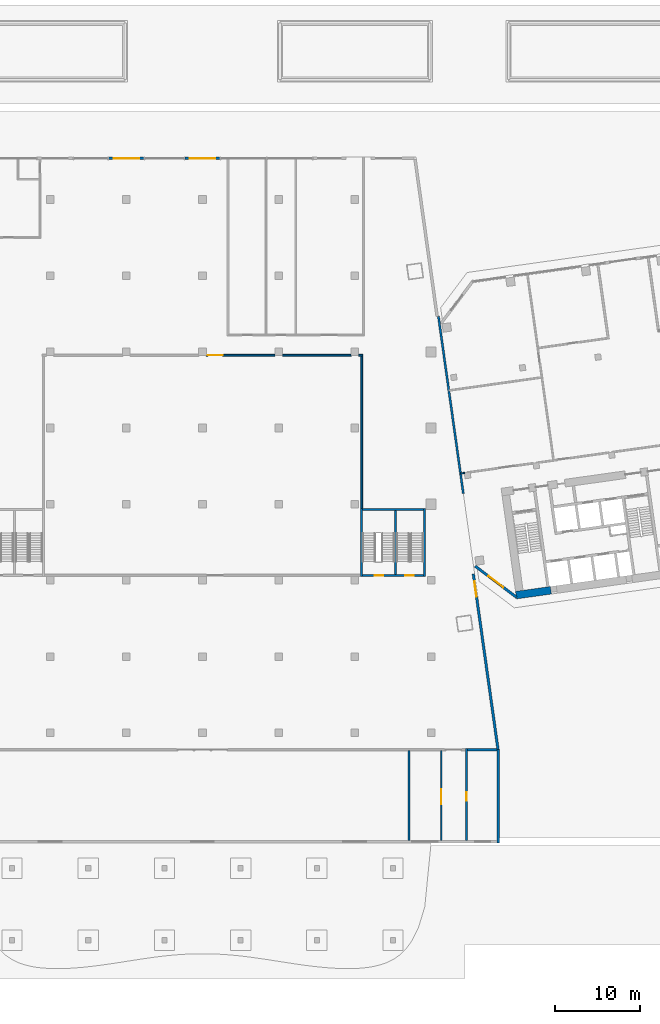
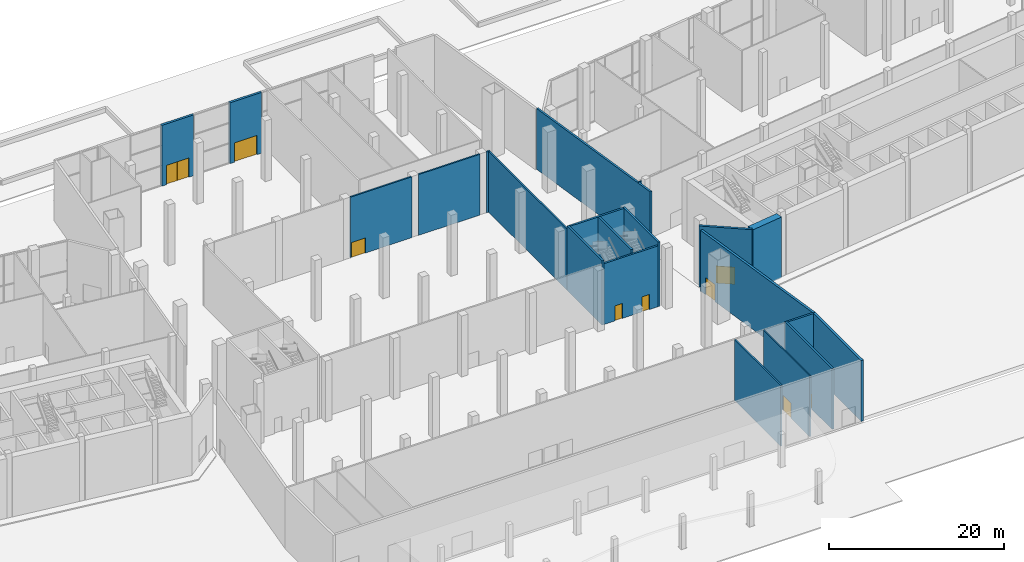
# One storey, part 23 of 34: 21 walls, 8 doors, 1 window, 9 openings.
"""IFC4 building model written with IfcOpenShell, lengths in metres."""

from ifc_helpers import new_model, si_unit, direction, frame, frame_2d, origin, place, context, subcontext, project, spatial, rectangle, extrude, material, layer, layer_set, type_object, element, fill, save


model = new_model("IFC4")

# Units and contexts
model_context = context("Model", 3, precision=1e-05, world=origin(), true_north=direction((0.0, 1.0)))
body_context = subcontext(model_context, "Body", "Model", "MODEL_VIEW")
ifc_project = project(units=[si_unit("LENGTHUNIT", "METRE"), si_unit("AREAUNIT", "SQUARE_METRE"), si_unit("VOLUMEUNIT", "CUBIC_METRE"), si_unit("PLANEANGLEUNIT", "RADIAN"), si_unit("MASSUNIT", "GRAM", prefix="KILO")], contexts=[model_context])

# Site, building, storey
site_placement = place(None, origin())
site = spatial("IfcSite", under=ifc_project, at=site_placement, CompositionType="ELEMENT")
building_placement = place(site_placement, origin())
building = spatial("IfcBuilding", under=site, at=building_placement, Name="Mirante Cascada Hotel Towers", CompositionType="ELEMENT")
storey_placement = place(building_placement, origin())
storey = spatial("IfcBuildingStorey", under=building, at=storey_placement, Name="L00", CompositionType="ELEMENT", Elevation=0.0)

# Wall, opening, door
ifc_material_1 = material(Name="Masonry block", Category="masonry")
ifc_layer_1 = layer(ifc_material_1, 0.15)
ifc_layer_set_1 = layer_set([ifc_layer_1], Name="Corridor wall 150 block")
wall_type_1 = type_object("IfcWallType", Name="Corridor wall 150 block", PredefinedType="PARTITIONING", material=ifc_layer_set_1)
wall_1_placement = place(storey_placement, frame((28.2, -48.7, 0.0), z_axis=(0.0, 0.0, 1.0), x_axis=(0.0, 1.0, 0.0)))
wall_1 = element("IfcWall", 1, at=wall_1_placement, inside=storey, type_object=wall_type_1, Name="Corridor wall P L00", PredefinedType="PARTITIONING", context=body_context, shape_type="SweptSolid", body=[
    extrude(rectangle(XDim=10.6, YDim=0.15, at=frame_2d((5.3, 0.0))), origin(), (0.0, 0.0, 1.0), 8.5),
])
opening_1_placement = place(wall_1_placement, frame((4.25, 0.0, 0.0)))
opening_1 = element("IfcOpeningElement", 2, at=opening_1_placement, cuts=wall_1, Name="Opening DP-L00-14", PredefinedType="OPENING", context=body_context, shape_type="SweptSolid", body=[
    extrude(rectangle(XDim=1.8, YDim=2.1, at=frame_2d((0.9, 1.05))), frame((0.0, 0.075, 0.0), z_axis=(0.0, -1.0, 0.0), x_axis=(1.0, 0.0, 0.0)), (0.0, 0.0, 1.0), 0.15),
])
ifc_material_2 = material(Name="Timber door leaf", Category="wood")
door_type_1 = type_object("IfcDoorType", Name="Double door 1800x2100", OperationType="DOUBLE_DOOR_SINGLE_SWING", PredefinedType="DOOR", material=ifc_material_2)
door_1_placement = place(opening_1_placement, origin())
door_1 = element("IfcDoor", 3, at=door_1_placement, inside=storey, type_object=door_type_1, Name="Door DP-L00-14", OperationType="DOUBLE_DOOR_SINGLE_SWING", OverallHeight=2.1, OverallWidth=1.8, PredefinedType="DOOR", context=body_context, shape_type="SweptSolid", body=[
    extrude(rectangle(XDim=0.895, YDim=2.1, at=frame_2d((0.4475, 1.05))), frame((0.0, 0.025, 0.0), z_axis=(0.0, -1.0, 0.0), x_axis=(1.0, 0.0, 0.0)), (0.0, 0.0, 1.0), 0.05),
    extrude(rectangle(XDim=0.895, YDim=2.1, at=frame_2d((1.3525, 1.05))), frame((0.0, 0.025, 0.0), z_axis=(0.0, -1.0, 0.0), x_axis=(1.0, 0.0, 0.0)), (0.0, 0.0, 1.0), 0.05),
])
fill(opening_1, door_1)

# Walls
ifc_material_3 = material(Name="Masonry block", Category="masonry")
ifc_layer_2 = layer(ifc_material_3, 0.15)
ifc_layer_set_2 = layer_set([ifc_layer_2], Name="Exit passage wall 150 block EI 120")
wall_type_2 = type_object("IfcWallType", Name="Exit passage wall 150 block EI 120", PredefinedType="PARTITIONING", material=ifc_layer_set_2)
wall_2_placement = place(storey_placement, frame((30.4732, -5.3669, 0.0), z_axis=(0.0, 0.0, 1.0), x_axis=(0.9902657, 0.1391899, 0.0)))
element("IfcWall", 4, at=wall_2_placement, inside=storey, type_object=wall_type_2, Name="Exit passage wall T2 L00", PredefinedType="PARTITIONING", context=body_context, shape_type="SweptSolid", body=[
    extrude(rectangle(XDim=0.4957, YDim=0.15, at=frame_2d((0.2478, 0.0))), origin(), (0.0, 0.0, 1.0), 8.5),
])
ifc_material_4 = material(Name="Masonry block", Category="masonry")
ifc_layer_3 = layer(ifc_material_4, 0.2)
ifc_layer_set_3 = layer_set([ifc_layer_3], Name="Hall wall 200 block")
wall_type_3 = type_object("IfcWallType", Name="Hall wall 200 block", PredefinedType="PARTITIONING", material=ifc_layer_set_3)
wall_3_placement = place(storey_placement, frame((24.4, -48.7, 0.0), z_axis=(0.0, 0.0, 1.0), x_axis=(0.0, 1.0, 0.0)))
element("IfcWall", 5, at=wall_3_placement, inside=storey, type_object=wall_type_3, Name="Hall wall P L00", PredefinedType="PARTITIONING", context=body_context, shape_type="SweptSolid", body=[
    extrude(rectangle(XDim=10.6, YDim=0.2, at=frame_2d((5.3, 0.0))), origin(), (0.0, 0.0, 1.0), 8.5),
])
wall_4_placement = place(storey_placement, frame((18.8, -9.475, 0.0), z_axis=(0.0, 0.0, 1.0), x_axis=(0.0, 1.0, 0.0)))
element("IfcWall", 6, at=wall_4_placement, inside=storey, type_object=wall_type_3, Name="Hall wall P L00", PredefinedType="PARTITIONING", context=body_context, shape_type="SweptSolid", body=[
    extrude(rectangle(XDim=17.975, YDim=0.2, at=frame_2d((8.9875, 0.0))), origin(), (0.0, 0.0, 1.0), 8.5),
])

# Wall, opening, door
wall_5_placement = place(storey_placement, frame((0.45, 8.6, 0.0), z_axis=(0.0, 0.0, 1.0), x_axis=(1.0, 0.0, 0.0)))
wall_5 = element("IfcWall", 7, at=wall_5_placement, inside=storey, type_object=wall_type_3, Name="Hall wall P L00", PredefinedType="PARTITIONING", context=body_context, shape_type="SweptSolid", body=[
    extrude(rectangle(XDim=8.1, YDim=0.2, at=frame_2d((4.05, 0.0))), origin(), (0.0, 0.0, 1.0), 8.5),
])
opening_2_placement = place(wall_5_placement, frame((0.15, 0.0, 0.0)))
opening_2 = element("IfcOpeningElement", 8, at=opening_2_placement, cuts=wall_5, Name="Opening DP-L00-09", PredefinedType="OPENING", context=body_context, shape_type="SweptSolid", body=[
    extrude(rectangle(XDim=1.8, YDim=2.1, at=frame_2d((0.9, 1.05))), frame((0.0, 0.1, 0.0), z_axis=(0.0, -1.0, 0.0), x_axis=(1.0, 0.0, 0.0)), (0.0, 0.0, 1.0), 0.2),
])
door_2_placement = place(opening_2_placement, origin())
door_2 = element("IfcDoor", 9, at=door_2_placement, inside=storey, type_object=door_type_1, Name="Door DP-L00-09", OperationType="DOUBLE_DOOR_SINGLE_SWING", OverallHeight=2.1, OverallWidth=1.8, PredefinedType="DOOR", context=body_context, shape_type="SweptSolid", body=[
    extrude(rectangle(XDim=0.895, YDim=2.1, at=frame_2d((0.4475, 1.05))), frame((0.0, 0.025, 0.0), z_axis=(0.0, -1.0, 0.0), x_axis=(1.0, 0.0, 0.0)), (0.0, 0.0, 1.0), 0.05),
    extrude(rectangle(XDim=0.895, YDim=2.1, at=frame_2d((1.3525, 1.05))), frame((0.0, 0.025, 0.0), z_axis=(0.0, -1.0, 0.0), x_axis=(1.0, 0.0, 0.0)), (0.0, 0.0, 1.0), 0.05),
])
fill(opening_2, door_2)

# Walls
wall_6_placement = place(storey_placement, frame((9.45, 8.6, 0.0), z_axis=(0.0, 0.0, 1.0), x_axis=(1.0, 0.0, 0.0)))
element("IfcWall", 10, at=wall_6_placement, inside=storey, type_object=wall_type_3, Name="Hall wall P L00", PredefinedType="PARTITIONING", context=body_context, shape_type="SweptSolid", body=[
    extrude(rectangle(XDim=8.1, YDim=0.2, at=frame_2d((4.05, 0.0))), origin(), (0.0, 0.0, 1.0), 8.5),
])
wall_7_placement = place(storey_placement, frame((18.45, 8.6, 0.0), z_axis=(0.0, 0.0, 1.0), x_axis=(1.0, 0.0, 0.0)))
element("IfcWall", 11, at=wall_7_placement, inside=storey, type_object=wall_type_3, Name="Hall wall P L00", PredefinedType="PARTITIONING", context=body_context, shape_type="SweptSolid", body=[
    extrude(rectangle(XDim=0.46, YDim=0.2, at=frame_2d((0.23, 0.0))), origin(), (0.0, 0.0, 1.0), 8.5),
])
ifc_material_5 = material(Name="Masonry block", Category="masonry")
ifc_layer_4 = layer(ifc_material_5, 0.25)
ifc_layer_set_4 = layer_set([ifc_layer_4], Name="Plant room wall 250 block EI 120")
wall_type_4 = type_object("IfcWallType", Name="Plant room wall 250 block EI 120", PredefinedType="PARTITIONING", material=ifc_layer_set_4)
wall_8_placement = place(storey_placement, frame((31.315, -38.0, 0.0), z_axis=(0.0, 0.0, 1.0), x_axis=(1.0, 0.0, 0.0)))
element("IfcWall", 12, at=wall_8_placement, inside=storey, type_object=wall_type_4, Name="Plant room wall P L00", PredefinedType="PARTITIONING", context=body_context, shape_type="SweptSolid", body=[
    extrude(rectangle(XDim=3.4445, YDim=0.25, at=frame_2d((1.7222, 0.0))), origin(), (0.0, 0.0, 1.0), 8.5),
])

# Wall, opening, door
wall_9_placement = place(storey_placement, frame((31.2, -48.7, 0.0), z_axis=(0.0, 0.0, 1.0), x_axis=(0.0, 1.0, 0.0)))
wall_9 = element("IfcWall", 13, at=wall_9_placement, inside=storey, type_object=wall_type_4, Name="Plant room wall P L00", PredefinedType="PARTITIONING", context=body_context, shape_type="SweptSolid", body=[
    extrude(rectangle(XDim=10.825, YDim=0.25, at=frame_2d((5.4125, 0.0))), origin(), (0.0, 0.0, 1.0), 8.5),
])
opening_3_placement = place(wall_9_placement, frame((4.7, 0.0, 0.0)))
opening_3 = element("IfcOpeningElement", 14, at=opening_3_placement, cuts=wall_9, Name="Opening DP-L00-15", PredefinedType="OPENING", context=body_context, shape_type="SweptSolid", body=[
    extrude(rectangle(XDim=1.0, YDim=2.1, at=frame_2d((0.5, 1.05))), frame((0.0, 0.125, 0.0), z_axis=(0.0, -1.0, 0.0), x_axis=(1.0, 0.0, 0.0)), (0.0, 0.0, 1.0), 0.25),
])
ifc_material_6 = material(Name="Hollow metal fire door leaf")
door_type_2 = type_object("IfcDoorType", Name="Fire door 1000x2100 FD60", OperationType="NOTDEFINED", PredefinedType="DOOR", material=ifc_material_6)
door_3_placement = place(opening_3_placement, frame((1.0, 0.0, 0.0), z_axis=(0.0, 0.0, 1.0), x_axis=(-1.0, 0.0, 0.0)))
door_3 = element("IfcDoor", 15, at=door_3_placement, inside=storey, type_object=door_type_2, Name="Door DP-L00-15", OperationType="SINGLE_SWING_LEFT", OverallHeight=2.1, OverallWidth=1.0, PredefinedType="DOOR", context=body_context, shape_type="SweptSolid", body=[
    extrude(rectangle(XDim=1.0, YDim=2.1, at=frame_2d((0.5, 1.05))), frame((0.0, 0.025, 0.0), z_axis=(0.0, -1.0, 0.0), x_axis=(1.0, 0.0, 0.0)), (0.0, 0.0, 1.0), 0.05),
])
fill(opening_3, door_3)

# Wall
wall_10_placement = place(storey_placement, frame((30.8072, -7.7436, 0.0), z_axis=(0.0, 0.0, 1.0), x_axis=(-0.1391722, 0.9902682, 0.0)))
element("IfcWall", 16, at=wall_10_placement, inside=storey, type_object=wall_type_4, Name="Compartment wall T2 L00", PredefinedType="PARTITIONING", context=body_context, shape_type="SweptSolid", body=[
    extrude(rectangle(XDim=21.1486, YDim=0.25, at=frame_2d((10.5743, 0.0))), origin(), (0.0, 0.0, 1.0), 8.5),
])

# Wall, opening, window
ifc_material_7 = material(Name="Precast concrete C40/50", Category="concrete")
ifc_layer_5 = layer(ifc_material_7, 0.3)
ifc_layer_set_5 = layer_set([ifc_layer_5], Name="Precast concrete C40/50 cladding wall 300")
wall_type_5 = type_object("IfcWallType", Name="Precast concrete C40/50 cladding wall 300", PredefinedType="STANDARD", material=ifc_layer_set_5)
wall_11_placement = place(storey_placement, frame((32.2074, -16.3138, 0.0), z_axis=(0.0, 0.0, 1.0), x_axis=(0.7986362, -0.6018141, 0.0)))
wall_11 = element("IfcWall", 17, at=wall_11_placement, inside=storey, type_object=wall_type_5, Name="Corner cladding wall T2 L00 inner rear", PredefinedType="STANDARD", context=body_context, shape_type="SweptSolid", body=[
    extrude(rectangle(XDim=6.1157, YDim=0.3, at=frame_2d((3.0578, 0.0))), origin(), (0.0, 0.0, 1.0), 8.5),
])
opening_4_placement = place(wall_11_placement, frame((1.9578, 0.0, 0.6)))
opening_4 = element("IfcOpeningElement", 18, at=opening_4_placement, cuts=wall_11, Name="Opening W2-00-05", PredefinedType="OPENING", context=body_context, shape_type="SweptSolid", body=[
    extrude(rectangle(XDim=2.2, YDim=2.4, at=frame_2d((1.1, 1.2))), frame((0.0, 0.15, 0.0), z_axis=(0.0, -1.0, 0.0), x_axis=(1.0, 0.0, 0.0)), (0.0, 0.0, 1.0), 0.3),
])
ifc_material_8 = material(Name="Aluminium frame with clear double glazing", Category="aluminium")
window_type = type_object("IfcWindowType", Name="Corner suite window 2200x2400", PartitioningType="DOUBLE_PANEL_VERTICAL", PredefinedType="WINDOW", material=ifc_material_8)
window_placement = place(opening_4_placement, origin())
window = element("IfcWindow", 19, at=window_placement, inside=storey, type_object=window_type, Name="Window W2-00-05", OverallHeight=2.4, OverallWidth=2.2, PartitioningType="SINGLE_PANEL", PredefinedType="WINDOW", context=body_context, shape_type="SweptSolid", body=[
    extrude(rectangle(XDim=2.2, YDim=2.4, at=frame_2d((1.1, 1.2))), frame((0.0, 0.03, 0.0), z_axis=(0.0, -1.0, 0.0), x_axis=(1.0, 0.0, 0.0)), (0.0, 0.0, 1.0), 0.06),
])
fill(opening_4, window)

# Wall
wall_12_placement = place(storey_placement, frame((34.9095, -49.0, 0.0), z_axis=(0.0, 0.0, 1.0), x_axis=(0.0, 1.0, 0.0)))
element("IfcWall", 20, at=wall_12_placement, inside=storey, type_object=wall_type_5, Name="Podium cladding wall L00 P:L00:1", PredefinedType="STANDARD", context=body_context, shape_type="SweptSolid", body=[
    extrude(rectangle(XDim=11.0, YDim=0.3, at=frame_2d((5.5, 0.0))), origin(), (0.0, 0.0, 1.0), 8.5),
])

# Wall, opening, door
wall_13_placement = place(storey_placement, frame((2.1, 31.85, 0.0), z_axis=(0.0, 0.0, 1.0), x_axis=(-1.0, 0.0, 0.0)))
wall_13 = element("IfcWall", 21, at=wall_13_placement, inside=storey, type_object=wall_type_5, Name="Entrance pier wall L00 P:L00:4:4", PredefinedType="STANDARD", context=body_context, shape_type="SweptSolid", body=[
    extrude(rectangle(XDim=4.2, YDim=0.3, at=frame_2d((2.1, 0.0))), origin(), (0.0, 0.0, 1.0), 8.5),
])
opening_5_placement = place(wall_13_placement, frame((0.6, 0.0, 0.0)))
opening_5 = element("IfcOpeningElement", 22, at=opening_5_placement, cuts=wall_13, Name="Opening DP-00-100", PredefinedType="OPENING", context=body_context, shape_type="SweptSolid", body=[
    extrude(rectangle(XDim=3.0, YDim=2.7, at=frame_2d((1.5, 1.35))), frame((0.0, 0.15, 0.0), z_axis=(0.0, -1.0, 0.0), x_axis=(1.0, 0.0, 0.0)), (0.0, 0.0, 1.0), 0.3),
])
ifc_material_9 = material(Name="Aluminium frame with clear laminated glazing", Category="aluminium")
door_type_3 = type_object("IfcDoorType", Name="Exit double door 3000x2700", OperationType="DOUBLE_DOOR_SINGLE_SWING", PredefinedType="DOOR", material=ifc_material_9)
door_4_placement = place(opening_5_placement, frame((3.0, 0.0, 0.0), z_axis=(0.0, 0.0, 1.0), x_axis=(-1.0, 0.0, 0.0)))
door_4 = element("IfcDoor", 23, at=door_4_placement, inside=storey, type_object=door_type_3, Name="Exit door DP-00-100", OperationType="DOUBLE_DOOR_SINGLE_SWING", OverallHeight=2.7, OverallWidth=3.0, PredefinedType="DOOR", context=body_context, shape_type="SweptSolid", body=[
    extrude(rectangle(XDim=1.495, YDim=2.7, at=frame_2d((0.7475, 1.35))), frame((0.0, 0.025, 0.0), z_axis=(0.0, -1.0, 0.0), x_axis=(1.0, 0.0, 0.0)), (0.0, 0.0, 1.0), 0.05),
    extrude(rectangle(XDim=1.495, YDim=2.7, at=frame_2d((2.2525, 1.35))), frame((0.0, 0.025, 0.0), z_axis=(0.0, -1.0, 0.0), x_axis=(1.0, 0.0, 0.0)), (0.0, 0.0, 1.0), 0.05),
])
fill(opening_5, door_4)

wall_14_placement = place(storey_placement, frame((-6.9, 31.85, 0.0), z_axis=(0.0, 0.0, 1.0), x_axis=(-1.0, 0.0, 0.0)))
wall_14 = element("IfcWall", 24, at=wall_14_placement, inside=storey, type_object=wall_type_5, Name="Entrance pier wall L00 P:L00:4:6", PredefinedType="STANDARD", context=body_context, shape_type="SweptSolid", body=[
    extrude(rectangle(XDim=4.2, YDim=0.3, at=frame_2d((2.1, 0.0))), origin(), (0.0, 0.0, 1.0), 8.5),
])
opening_6_placement = place(wall_14_placement, frame((0.6, 0.0, 0.0)))
opening_6 = element("IfcOpeningElement", 25, at=opening_6_placement, cuts=wall_14, Name="Opening DP-00-101", PredefinedType="OPENING", context=body_context, shape_type="SweptSolid", body=[
    extrude(rectangle(XDim=3.0, YDim=2.7, at=frame_2d((1.5, 1.35))), frame((0.0, 0.15, 0.0), z_axis=(0.0, -1.0, 0.0), x_axis=(1.0, 0.0, 0.0)), (0.0, 0.0, 1.0), 0.3),
])
door_5_placement = place(opening_6_placement, frame((3.0, 0.0, 0.0), z_axis=(0.0, 0.0, 1.0), x_axis=(-1.0, 0.0, 0.0)))
door_5 = element("IfcDoor", 26, at=door_5_placement, inside=storey, type_object=door_type_3, Name="Exit door DP-00-101", OperationType="DOUBLE_DOOR_SINGLE_SWING", OverallHeight=2.7, OverallWidth=3.0, PredefinedType="DOOR", context=body_context, shape_type="SweptSolid", body=[
    extrude(rectangle(XDim=1.495, YDim=2.7, at=frame_2d((0.7475, 1.35))), frame((0.0, 0.025, 0.0), z_axis=(0.0, -1.0, 0.0), x_axis=(1.0, 0.0, 0.0)), (0.0, 0.0, 1.0), 0.05),
    extrude(rectangle(XDim=1.495, YDim=2.7, at=frame_2d((2.2525, 1.35))), frame((0.0, 0.025, 0.0), z_axis=(0.0, -1.0, 0.0), x_axis=(1.0, 0.0, 0.0)), (0.0, 0.0, 1.0), 0.05),
])
fill(opening_6, door_5)

ifc_material_10 = material(Name="Precast concrete C40/50", Category="concrete")
ifc_layer_6 = layer(ifc_material_10, 0.3)
ifc_layer_set_6 = layer_set([ifc_layer_6], Name="Precast concrete C40/50 cladding wall 300 EI 60")
wall_type_6 = type_object("IfcWallType", Name="Precast concrete C40/50 cladding wall 300 EI 60", PredefinedType="STANDARD", material=ifc_layer_set_6)
wall_15_placement = place(storey_placement, frame((34.911, -38.0209, 0.0), z_axis=(0.0, 0.0, 1.0), x_axis=(-0.1391749, 0.9902678, 0.0)))
wall_15 = element("IfcWall", 27, at=wall_15_placement, inside=storey, type_object=wall_type_6, Name="Podium cladding wall L00 P:L00:2", PredefinedType="STANDARD", context=body_context, shape_type="SweptSolid", body=[
    extrude(rectangle(XDim=21.0052, YDim=0.3, at=frame_2d((10.5026, 0.0))), origin(), (0.0, 0.0, 1.0), 8.5),
])
opening_7_placement = place(wall_15_placement, frame((18.2867, 0.0, 0.0)))
opening_7 = element("IfcOpeningElement", 28, at=opening_7_placement, cuts=wall_15, Name="Opening DP-00-97", PredefinedType="OPENING", context=body_context, shape_type="SweptSolid", body=[
    extrude(rectangle(XDim=1.8, YDim=2.4, at=frame_2d((0.9, 1.2))), frame((0.0, 0.15, 0.0), z_axis=(0.0, -1.0, 0.0), x_axis=(1.0, 0.0, 0.0)), (0.0, 0.0, 1.0), 0.3),
])
ifc_material_11 = material(Name="Galvanised hollow metal fire door leaf")
door_type_4 = type_object("IfcDoorType", Name="Stair discharge door 1800x2400 FD60", OperationType="DOUBLE_DOOR_SINGLE_SWING", PredefinedType="DOOR", material=ifc_material_11)
door_6_placement = place(opening_7_placement, frame((1.8, 0.0, 0.0), z_axis=(0.0, 0.0, 1.0), x_axis=(-1.0, 0.0, 0.0)))
door_6 = element("IfcDoor", 29, at=door_6_placement, inside=storey, type_object=door_type_4, Name="Stair discharge podium east door DP-00-97", OperationType="DOUBLE_DOOR_SINGLE_SWING", OverallHeight=2.4, OverallWidth=1.8, PredefinedType="DOOR", context=body_context, shape_type="SweptSolid", body=[
    extrude(rectangle(XDim=0.895, YDim=2.4, at=frame_2d((0.4475, 1.2))), frame((0.0, 0.025, 0.0), z_axis=(0.0, -1.0, 0.0), x_axis=(1.0, 0.0, 0.0)), (0.0, 0.0, 1.0), 0.05),
    extrude(rectangle(XDim=0.895, YDim=2.4, at=frame_2d((1.3525, 1.2))), frame((0.0, 0.025, 0.0), z_axis=(0.0, -1.0, 0.0), x_axis=(1.0, 0.0, 0.0)), (0.0, 0.0, 1.0), 0.05),
])
fill(opening_7, door_6)

# Wall
ifc_material_12 = material(Name="Concrete C50/60", Category="concrete")
ifc_layer_7 = layer(ifc_material_12, 0.9)
ifc_layer_set_7 = layer_set([ifc_layer_7], Name="RC core wall 900 C50/60")
wall_type_7 = type_object("IfcWallType", Name="RC core wall 900 C50/60", PredefinedType="SHEAR", material=ifc_layer_set_7)
wall_16_placement = place(storey_placement, frame((37.0379, -19.7432, 0.0), z_axis=(0.0, 0.0, 1.0), x_axis=(0.990267, 0.139181, 0.0)))
element("IfcWall", 30, at=wall_16_placement, inside=storey, type_object=wall_type_7, Name="Core wall T2:L00:1.1", PredefinedType="SHEAR", context=body_context, shape_type="SweptSolid", body=[
    extrude(rectangle(XDim=4.15, YDim=0.9, at=frame_2d((2.075, 0.0))), origin(), (0.0, 0.0, 1.0), 8.5),
])

# Wall, openings, doors
ifc_material_13 = material(Name="Concrete C35/45", Category="concrete")
ifc_layer_8 = layer(ifc_material_13, 0.25)
ifc_layer_set_8 = layer_set([ifc_layer_8], Name="Stair wall 250 concrete C35/45 EI 120")
wall_type_8 = type_object("IfcWallType", Name="Stair wall 250 concrete C35/45 EI 120", PredefinedType="STANDARD", material=ifc_layer_set_8)
wall_17_placement = place(storey_placement, frame((18.925, -17.4, 0.0), z_axis=(0.0, 0.0, 1.0), x_axis=(1.0, 0.0, 0.0)))
wall_17 = element("IfcWall", 31, at=wall_17_placement, inside=storey, type_object=wall_type_8, Name="Stair wall P L00", PredefinedType="STANDARD", context=body_context, shape_type="SweptSolid", body=[
    extrude(rectangle(XDim=7.16, YDim=0.25, at=frame_2d((3.58, 0.0))), origin(), (0.0, 0.0, 1.0), 8.5),
])
opening_8_placement = place(wall_17_placement, frame((5.0175, 0.0, 0.0)))
opening_8 = element("IfcOpeningElement", 32, at=opening_8_placement, cuts=wall_17, Name="Opening DP-L00-06", PredefinedType="OPENING", context=body_context, shape_type="SweptSolid", body=[
    extrude(rectangle(XDim=1.0, YDim=2.1, at=frame_2d((0.5, 1.05))), frame((0.0, 0.125, 0.0), z_axis=(0.0, -1.0, 0.0), x_axis=(1.0, 0.0, 0.0)), (0.0, 0.0, 1.0), 0.25),
])
opening_9_placement = place(wall_17_placement, frame((1.4375, 0.0, 0.0)))
opening_9 = element("IfcOpeningElement", 33, at=opening_9_placement, cuts=wall_17, Name="Opening DP-L00-07", PredefinedType="OPENING", context=body_context, shape_type="SweptSolid", body=[
    extrude(rectangle(XDim=1.0, YDim=2.1, at=frame_2d((0.5, 1.05))), frame((0.0, 0.125, 0.0), z_axis=(0.0, -1.0, 0.0), x_axis=(1.0, 0.0, 0.0)), (0.0, 0.0, 1.0), 0.25),
])
door_7_placement = place(opening_8_placement, origin())
door_7 = element("IfcDoor", 34, at=door_7_placement, inside=storey, type_object=door_type_2, Name="Door DP-L00-06", OperationType="SINGLE_SWING_RIGHT", OverallHeight=2.1, OverallWidth=1.0, PredefinedType="DOOR", context=body_context, shape_type="SweptSolid", body=[
    extrude(rectangle(XDim=1.0, YDim=2.1, at=frame_2d((0.5, 1.05))), frame((0.0, 0.025, 0.0), z_axis=(0.0, -1.0, 0.0), x_axis=(1.0, 0.0, 0.0)), (0.0, 0.0, 1.0), 0.05),
])
fill(opening_8, door_7)
door_8_placement = place(opening_9_placement, origin())
door_8 = element("IfcDoor", 35, at=door_8_placement, inside=storey, type_object=door_type_2, Name="Door DP-L00-07", OperationType="SINGLE_SWING_LEFT", OverallHeight=2.1, OverallWidth=1.0, PredefinedType="DOOR", context=body_context, shape_type="SweptSolid", body=[
    extrude(rectangle(XDim=1.0, YDim=2.1, at=frame_2d((0.5, 1.05))), frame((0.0, 0.025, 0.0), z_axis=(0.0, -1.0, 0.0), x_axis=(1.0, 0.0, 0.0)), (0.0, 0.0, 1.0), 0.05),
])
fill(opening_9, door_8)

# Walls
wall_18_placement = place(storey_placement, frame((18.925, -9.6, 0.0), z_axis=(0.0, 0.0, 1.0), x_axis=(1.0, 0.0, 0.0)))
element("IfcWall", 36, at=wall_18_placement, inside=storey, type_object=wall_type_8, Name="Stair wall P L00", PredefinedType="STANDARD", context=body_context, shape_type="SweptSolid", body=[
    extrude(rectangle(XDim=7.15, YDim=0.25, at=frame_2d((3.575, 0.0))), origin(), (0.0, 0.0, 1.0), 9.0),
])
wall_19_placement = place(storey_placement, frame((26.2, -17.525, 0.0), z_axis=(0.0, 0.0, 1.0), x_axis=(0.0, 1.0, 0.0)))
element("IfcWall", 37, at=wall_19_placement, inside=storey, type_object=wall_type_8, Name="Stair wall P L00", PredefinedType="STANDARD", context=body_context, shape_type="SweptSolid", body=[
    extrude(rectangle(XDim=8.05, YDim=0.25, at=frame_2d((4.025, 0.0))), origin(), (0.0, 0.0, 1.0), 9.0),
])
wall_20_placement = place(storey_placement, frame((22.8, -17.275, 0.0), z_axis=(0.0, 0.0, 1.0), x_axis=(0.0, 1.0, 0.0)))
element("IfcWall", 38, at=wall_20_placement, inside=storey, type_object=wall_type_8, Name="Stair wall P L00", PredefinedType="STANDARD", context=body_context, shape_type="SweptSolid", body=[
    extrude(rectangle(XDim=7.55, YDim=0.25, at=frame_2d((3.775, 0.0))), origin(), (0.0, 0.0, 1.0), 9.0),
])
wall_21_placement = place(storey_placement, frame((18.8, -17.525, 0.0), z_axis=(0.0, 0.0, 1.0), x_axis=(0.0, 1.0, 0.0)))
element("IfcWall", 39, at=wall_21_placement, inside=storey, type_object=wall_type_8, Name="Stair wall P L00", PredefinedType="STANDARD", context=body_context, shape_type="SweptSolid", body=[
    extrude(rectangle(XDim=8.05, YDim=0.25, at=frame_2d((4.025, 0.0))), origin(), (0.0, 0.0, 1.0), 9.0),
])

save(model, "model.ifc")
